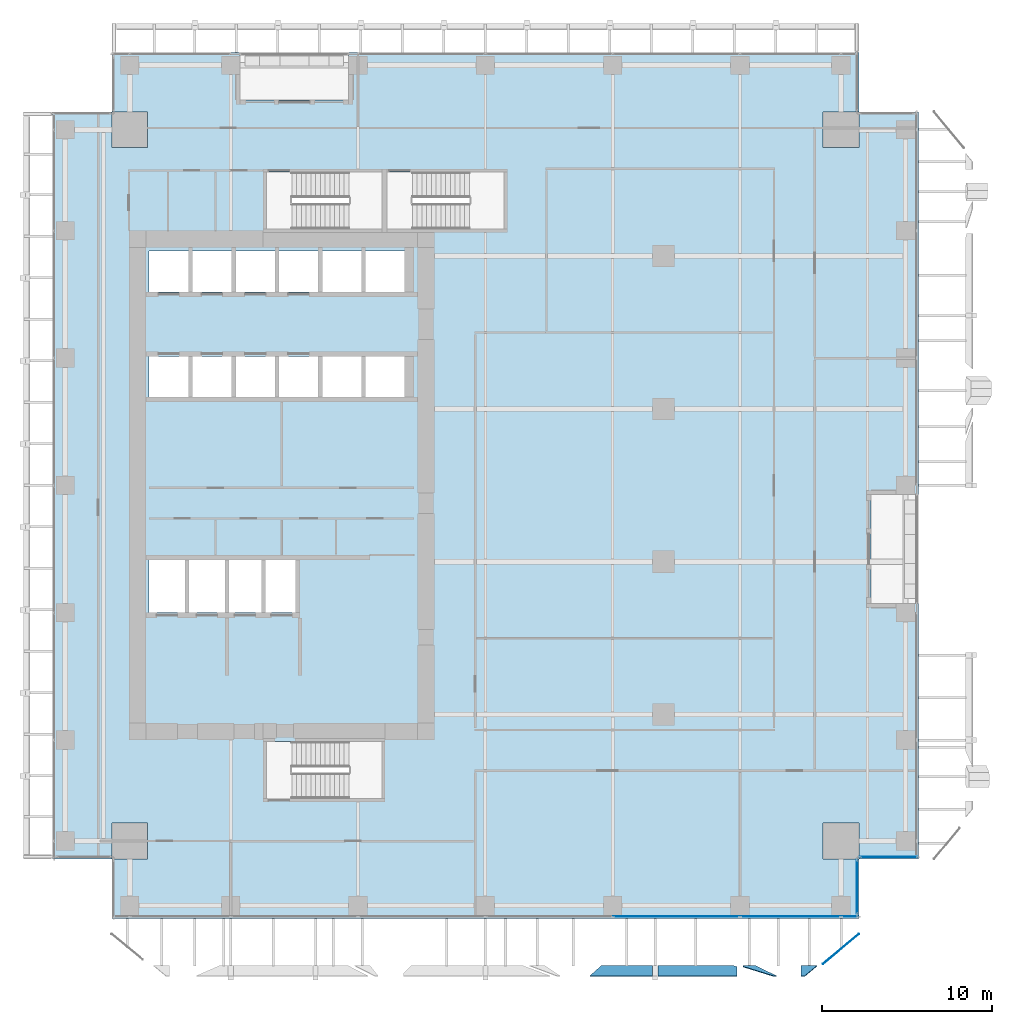
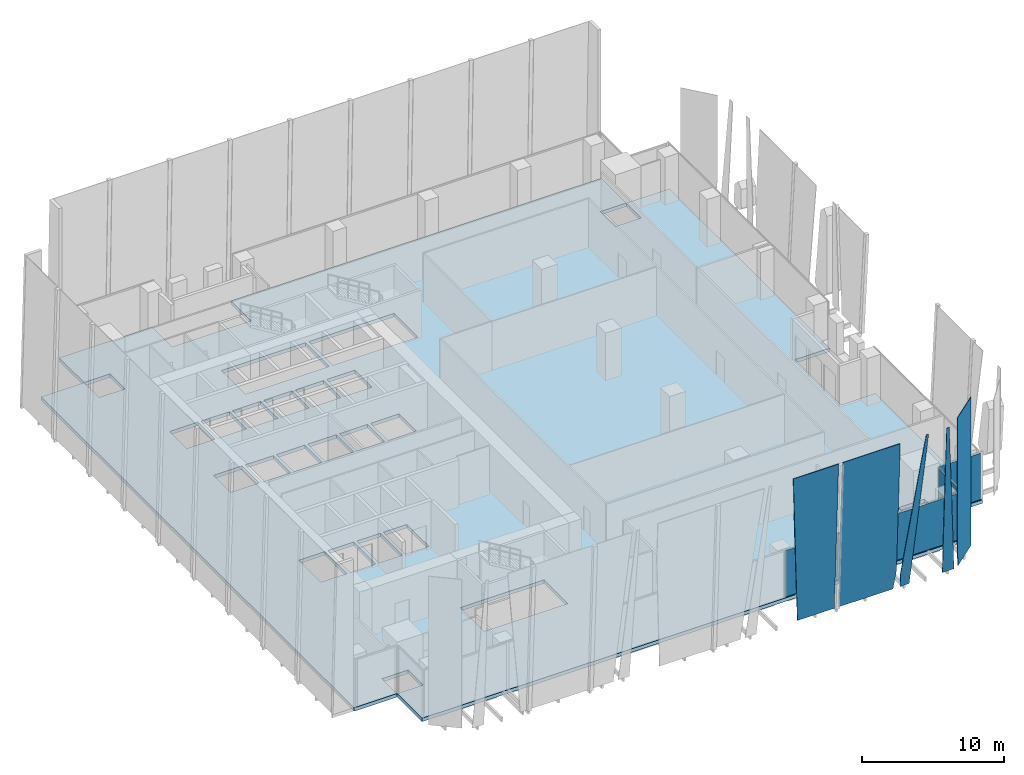
# One storey, part 24 of 36: 10 plates, 1 slab, 3 elements without a shape of their own.
"""IFC4 building model written with IfcOpenShell, lengths in metres."""

from ifc_helpers import new_model, si_unit, direction, frame, origin, origin_2d, place, context, subcontext, project, spatial, polyline, rectangle, outline, extrude, source, transform, mapped, material, layer, layer_set, type_object, element, aggregate, save


model = new_model("IFC4")

# Units and contexts
model_context = context("Model", 3, precision=1e-05, world=origin(), true_north=direction((0.0, 1.0)))
body_context = subcontext(model_context, "Body", "Model", "MODEL_VIEW")
ifc_project = project(units=[si_unit("LENGTHUNIT", "METRE"), si_unit("AREAUNIT", "SQUARE_METRE"), si_unit("VOLUMEUNIT", "CUBIC_METRE"), si_unit("PLANEANGLEUNIT", "RADIAN"), si_unit("MASSUNIT", "GRAM", prefix="KILO")], contexts=[model_context])

# Site, building, storey
site_placement = place(None, origin())
site = spatial("IfcSite", under=ifc_project, at=site_placement, CompositionType="ELEMENT")
building_placement = place(site_placement, origin())
building = spatial("IfcBuilding", under=site, at=building_placement, Name="Khomas Fold Tower", CompositionType="ELEMENT")
storey_placement = place(building_placement, frame((0.0, 0.0, 141.10009765625)))
storey = spatial("IfcBuildingStorey", under=building, at=storey_placement, Name="L30", CompositionType="ELEMENT", Elevation=141.10009765625)

# Plates
ifc_material_1 = material(Name="Clear laminated glass", Category="glass")
ifc_layer_1 = layer(ifc_material_1, 0.0400390625)
ifc_layer_set_1 = layer_set([ifc_layer_1], Name="Clear laminated glass")
plate_type_1 = type_object("IfcPlateType", Name="SK-Clear laminated glass leaf", PredefinedType="SHEET", material=ifc_layer_set_1)
plate_1_placement = place(storey_placement, frame((42.9033203125, -1.27978515625, 0.0), z_axis=(1.6586411e-05, 0.998875375838, 0.047412901933), x_axis=(-0.999999999862, 1.6567757e-05, 7.8641e-07)))
element("IfcPlate", 1, at=plate_1_placement, inside=storey, type_object=plate_type_1, Name="OUTER SKIN glass L30 SG106-13", PredefinedType="SHEET", context=body_context, shape_type="SweptSolid", body=[
    extrude(outline(polyline([(0.0, 0.0), (0.7333984373991178, 7.765158000341547e-23), (0.7333984376552191, 1.117711351087803), (-1.0427246097201963, 12.764356498739968), (-1.2402343753180278, 12.764356498739968), (0.0, 0.0)])), origin(), (0.0, 0.0, -1.0), 0.0400390625),
])
plate_2_placement = place(storey_placement, frame((33.835693359375, -1.27978515625, 0.0), z_axis=(0.0, 0.998875266546, 0.047415207295), x_axis=(-0.053325897076, -0.047347743142, 0.997454028976)))
element("IfcPlate", 2, at=plate_2_placement, inside=storey, type_object=plate_type_1, Name="OUTER SKIN glass L30 SG104-14", PredefinedType="SHEET", context=body_context, shape_type="SweptSolid", body=[
    extrude(outline(polyline([(0.0, 0.0), (12.782543986603118, 0.0), (12.58651663497361, 3.6707950024392275), (-0.15967825381788592, 2.990124241543277), (0.0, 0.0)])), origin(), (0.0, 0.0, -1.0), 0.0400390625),
])
plate_3_placement = place(storey_placement, frame((41.594970703125, -1.27978515625, 0.0), z_axis=(-1.0089615e-05, 0.998875257683, 0.047415392925), x_axis=(-0.999999999949, -1.0078266e-05, -4.78403e-07)))
element("IfcPlate", 3, at=plate_3_placement, inside=storey, type_object=plate_type_1, Name="OUTER SKIN glass L30 SG105-16", PredefinedType="SHEET", context=body_context, shape_type="SweptSolid", body=[
    extrude(outline(polyline([(0.0, 0.0), (4.425048827899765, 0.0), (4.425048827875831, 12.764356498773743), (-0.23510742188696704, 12.764356498773743), (-0.23510742281184382, 1.5415242805211953), (0.0, 0.0)])), origin(), (0.0, 0.0, -1.0), 0.0400390625),
])
plate_4_placement = place(storey_placement, frame((46.5439453125, -1.27978515625, 0.0), z_axis=(0.0, 0.998875266546, 0.047415207295), x_axis=(-1.0, 0.0, 0.0)))
element("IfcPlate", 4, at=plate_4_placement, inside=storey, type_object=plate_type_1, Name="OUTER SKIN glass L30 SG106-17", PredefinedType="SHEET", context=body_context, shape_type="SweptSolid", body=[
    extrude(outline(polyline([(0.0, 0.0), (0.94384765625, 0.0), (0.94384765625, 12.764356498773964), (0.726318359375, 12.764356498773964), (0.0, 0.0)])), origin(), (0.0, 0.0, -1.0), 0.0400390625),
])
plate_5_placement = place(storey_placement, frame((46.944580078125, -1.11279296875, 0.0), z_axis=(-0.640234229087, 0.768179752318, 5.882324e-06), x_axis=(-0.056753352423, -0.047308335025, 0.997266753896)))
element("IfcPlate", 5, at=plate_5_placement, inside=storey, type_object=plate_type_1, Name="OUTER SKIN glass L30 SG107-18", PredefinedType="SHEET", context=body_context, shape_type="SweptSolid", body=[
    extrude(outline(polyline([(0.0, 0.0), (1.3136491209290477, 0.0), (12.722322351898411, 0.8452422628264002), (12.517465137419654, 3.6103063412138168), (-0.1976859747521, 2.668270148165758), (0.0, 0.0)])), origin(), (0.0, 0.0, -1.0), 0.0400390625),
])

# Slab
ifc_material_2 = material(Name="Concrete C40/50", Category="concrete")
ifc_layer_2 = layer(ifc_material_2, 0.300048828125)
ifc_layer_set_2 = layer_set([ifc_layer_2], Name="Concrete C40/50")
slab_type = type_object("IfcSlabType", Name="RC floor slab 300", PredefinedType="FLOOR", material=ifc_layer_set_2)
shared_shape_1 = source(origin(), body_context, "Body", "SweptSolid", [
    extrude(outline(polyline([(1.5, 5.0), (4.9951171875, 5.0), (4.9951171875, 7.10498046875), (7.10498046875, 7.10498046875), (7.10498046875, 4.9951171875), (5.0, 4.9951171875), (5.0, 1.5), (49.0, 1.5), (49.0, 4.9951171875), (46.89501953125, 4.9951171875), (46.89501953125, 7.10498046875), (49.0048828125, 7.10498046875), (49.0048828125, 5.0), (52.5, 5.0), (52.5, 20.050048828125), (49.699951171875, 20.050048828125), (49.699951171875, 26.449951171875), (52.5, 26.449951171875), (52.5, 49.0), (49.0048828125, 49.0), (49.0048828125, 46.89501953125), (46.89501953125, 46.89501953125), (46.89501953125, 49.0048828125), (49.0, 49.0048828125), (49.0, 52.5), (18.949951171875, 52.5), (18.949951171875, 49.699951171875), (12.550048828125, 49.699951171875), (12.550048828125, 52.5), (5.0, 52.5), (5.0, 49.0048828125), (7.10498046875, 49.0048828125), (7.10498046875, 46.89501953125), (4.9951171875, 46.89501953125), (4.9951171875, 49.0), (1.5, 49.0), (1.5, 5.0)]), holes=[polyline([(7.199951171875, 19.5), (7.199951171875, 22.60009765625), (9.300048828125, 22.60009765625), (9.300048828125, 19.5), (7.199951171875, 19.5)]), polyline([(7.199951171875, 32.199951171875), (7.199951171875, 34.60009765625), (9.5, 34.60009765625), (9.5, 32.199951171875), (7.199951171875, 32.199951171875)]), polyline([(7.199951171875, 38.39990234375), (7.199951171875, 40.800048828125), (9.5, 40.800048828125), (9.5, 38.39990234375), (7.199951171875, 38.39990234375)]), polyline([(9.550048828125, 19.5), (9.550048828125, 22.60009765625), (11.64990234375, 22.60009765625), (11.64990234375, 19.5), (9.550048828125, 19.5)]), polyline([(9.75, 32.199951171875), (9.75, 34.60009765625), (12.050048828125, 34.60009765625), (12.050048828125, 32.199951171875), (9.75, 32.199951171875)]), polyline([(9.75, 38.39990234375), (9.75, 40.800048828125), (12.050048828125, 40.800048828125), (12.050048828125, 38.39990234375), (9.75, 38.39990234375)]), polyline([(11.89990234375, 19.5), (11.89990234375, 22.60009765625), (13.800048828125, 22.60009765625), (13.800048828125, 19.5), (11.89990234375, 19.5)]), polyline([(12.300048828125, 32.199951171875), (12.300048828125, 34.60009765625), (14.60009765625, 34.60009765625), (14.60009765625, 32.199951171875), (12.300048828125, 32.199951171875)]), polyline([(12.300048828125, 38.39990234375), (12.300048828125, 40.800048828125), (14.60009765625, 40.800048828125), (14.60009765625, 38.39990234375), (12.300048828125, 38.39990234375)]), polyline([(14.050048828125, 19.5), (14.050048828125, 22.60009765625), (15.949951171875, 22.60009765625), (15.949951171875, 19.5), (14.050048828125, 19.5)]), polyline([(14.10009765625, 8.550048828125), (14.10009765625, 11.89990234375), (20.89990234375, 11.89990234375), (20.89990234375, 8.550048828125), (14.10009765625, 8.550048828125)]), polyline([(14.10009765625, 42.10009765625), (14.10009765625, 45.449951171875), (20.89990234375, 45.449951171875), (20.89990234375, 42.10009765625), (14.10009765625, 42.10009765625)]), polyline([(14.85009765625, 32.199951171875), (14.85009765625, 34.60009765625), (17.14990234375, 34.60009765625), (17.14990234375, 32.199951171875), (14.85009765625, 32.199951171875)]), polyline([(14.85009765625, 38.39990234375), (14.85009765625, 40.800048828125), (17.14990234375, 40.800048828125), (17.14990234375, 38.39990234375), (14.85009765625, 38.39990234375)]), polyline([(17.39990234375, 32.199951171875), (17.39990234375, 34.60009765625), (19.699951171875, 34.60009765625), (19.699951171875, 32.199951171875), (17.39990234375, 32.199951171875)]), polyline([(17.39990234375, 38.39990234375), (17.39990234375, 40.800048828125), (19.699951171875, 40.800048828125), (19.699951171875, 38.39990234375), (17.39990234375, 38.39990234375)]), polyline([(19.949951171875, 32.199951171875), (19.949951171875, 34.60009765625), (22.25, 34.60009765625), (22.25, 32.199951171875), (19.949951171875, 32.199951171875)]), polyline([(19.949951171875, 38.39990234375), (19.949951171875, 40.800048828125), (22.25, 40.800048828125), (22.25, 38.39990234375), (19.949951171875, 38.39990234375)]), polyline([(21.199951171875, 42.10009765625), (21.199951171875, 45.449951171875), (28.10009765625, 45.449951171875), (28.10009765625, 42.10009765625), (21.199951171875, 42.10009765625)])]), origin(), (0.0, 0.0, 1.0), 0.300048828125),
])
slab_placement = place(storey_placement, frame((0.0, 0.0, -0.300048828125)))
element("IfcSlab", 6, at=slab_placement, inside=storey, type_object=slab_type, Name="S-L30", PredefinedType="FLOOR", context=body_context, shape_type="MappedRepresentation", body=[
    mapped(shared_shape_1, transform((0.0, 0.0, 0.0))),
])

# Curtain wall, plates
ifc_material_3 = material(Name="Aluminium framed double glazing", Category="aluminium")
curtain_wall_type = type_object("IfcCurtainWallType", Name="SK-Unitised clear-glass wall, growing floors CW1", PredefinedType="NOTDEFINED", material=ifc_material_3)
curtain_wall_1_placement = place(storey_placement, origin())
curtain_wall_1 = element("IfcCurtainWall", 7, at=curtain_wall_1_placement, inside=storey, type_object=curtain_wall_type, Name="CW1 run L30 00-0", PredefinedType="NOTDEFINED")
ifc_material_4 = material(Name="Clear double glazed unit")
ifc_layer_3 = layer(ifc_material_4, 0.031982421875)
ifc_layer_set_3 = layer_set([ifc_layer_3], Name="Clear double glazed unit")
plate_type_2 = type_object("IfcPlateType", Name="SK-Unitised clear-glass wall, growing floors glass panel CW1-P", PredefinedType="CURTAIN_PANEL", material=ifc_layer_set_3)
shared_shape_2 = source(origin(), body_context, "Body", "SweptSolid", [
    extrude(rectangle(XDim=5.889892578125, YDim=0.031982421875, at=origin_2d()), origin(), (0.0, 0.0, 1.0), 3.97998046875),
])
plate_6_placement = place(storey_placement, frame((44.97509765625, 1.60009765625, 0.0), z_axis=(0.0, 0.0, 1.0), x_axis=(1.0, 0.0, 0.0)))
plate_6 = element("IfcPlate", 8, at=plate_6_placement, type_object=plate_type_2, Name="CW1 glass panel 7", PredefinedType="CURTAIN_PANEL", context=body_context, shape_type="MappedRepresentation", body=[
    mapped(shared_shape_2, transform((0.0, 0.0, 0.0))),
])
shared_shape_3 = source(origin(), body_context, "Body", "SweptSolid", [
    extrude(rectangle(XDim=7.43994140625, YDim=0.031982421875, at=origin_2d()), origin(), (0.0, 0.0, 1.0), 3.97998046875),
])
plate_7_placement = place(storey_placement, frame((38.25, 1.60009765625, 0.0), z_axis=(0.0, 0.0, 1.0), x_axis=(1.0, 0.0, 0.0)))
plate_7 = element("IfcPlate", 9, at=plate_7_placement, type_object=plate_type_2, Name="CW1 glass panel 6", PredefinedType="CURTAIN_PANEL", context=body_context, shape_type="MappedRepresentation", body=[
    mapped(shared_shape_3, transform((0.0, 0.0, 0.0))),
])
shared_shape_4 = source(origin(), body_context, "Body", "SweptSolid", [
    extrude(rectangle(XDim=0.9599609375, YDim=0.031982421875, at=origin_2d()), origin(), (0.0, 0.0, 1.0), 3.97998046875),
])
plate_8_placement = place(storey_placement, frame((48.4599609375, 1.60009765625, 0.0), z_axis=(0.0, 0.0, 1.0), x_axis=(1.0, 0.0, 0.0)))
plate_8 = element("IfcPlate", 10, at=plate_8_placement, type_object=plate_type_2, Name="CW1 glass panel 8", PredefinedType="CURTAIN_PANEL", context=body_context, shape_type="MappedRepresentation", body=[
    mapped(shared_shape_4, transform((0.0, 0.0, 0.0))),
])
aggregate(curtain_wall_1, [plate_7, plate_6, plate_8])

# Curtain wall, plate
curtain_wall_2_placement = place(storey_placement, origin())
curtain_wall_2 = element("IfcCurtainWall", 11, at=curtain_wall_2_placement, inside=storey, type_object=curtain_wall_type, Name="CW1 corner return L30 01", PredefinedType="NOTDEFINED")
shared_shape_5 = source(origin(), body_context, "Body", "SweptSolid", [
    extrude(rectangle(XDim=3.179931640625, YDim=0.031982421875, at=origin_2d()), origin(), (0.0, 0.0, 1.0), 3.97998046875),
])
plate_9_placement = place(storey_placement, frame((48.89990234375, 3.35009765625, 0.0), z_axis=(0.0, 0.0, 1.0), x_axis=(0.0, 1.0, 0.0)))
plate_9 = element("IfcPlate", 12, at=plate_9_placement, type_object=plate_type_2, Name="CW1 glass panel 1", PredefinedType="CURTAIN_PANEL", context=body_context, shape_type="MappedRepresentation", body=[
    mapped(shared_shape_5, transform((0.0, 0.0, 0.0))),
])
aggregate(curtain_wall_2, [plate_9])

curtain_wall_3_placement = place(storey_placement, origin())
curtain_wall_3 = element("IfcCurtainWall", 13, at=curtain_wall_3_placement, inside=storey, type_object=curtain_wall_type, Name="CW1 corner return L30 02", PredefinedType="NOTDEFINED")
shared_shape_6 = source(origin(), body_context, "Body", "SweptSolid", [
    extrude(rectangle(XDim=3.3798828125, YDim=0.031982421875, at=origin_2d()), origin(), (0.0, 0.0, 1.0), 3.97998046875),
])
plate_10_placement = place(storey_placement, frame((50.75, 5.10009765625, 0.0), z_axis=(0.0, 0.0, 1.0), x_axis=(1.0, 0.0, 0.0)))
plate_10 = element("IfcPlate", 14, at=plate_10_placement, type_object=plate_type_2, Name="CW1 glass panel 1", PredefinedType="CURTAIN_PANEL", context=body_context, shape_type="MappedRepresentation", body=[
    mapped(shared_shape_6, transform((0.0, 0.0, 0.0))),
])
aggregate(curtain_wall_3, [plate_10])

save(model, "model.ifc")
